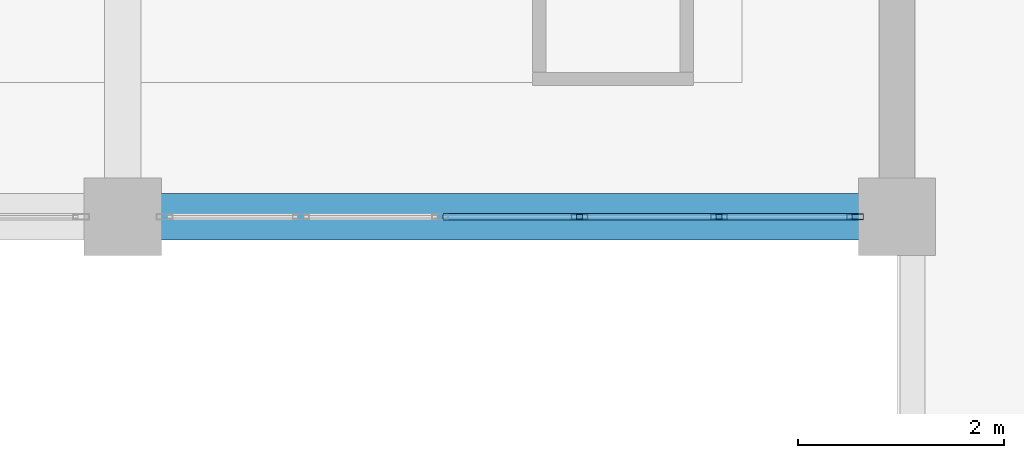
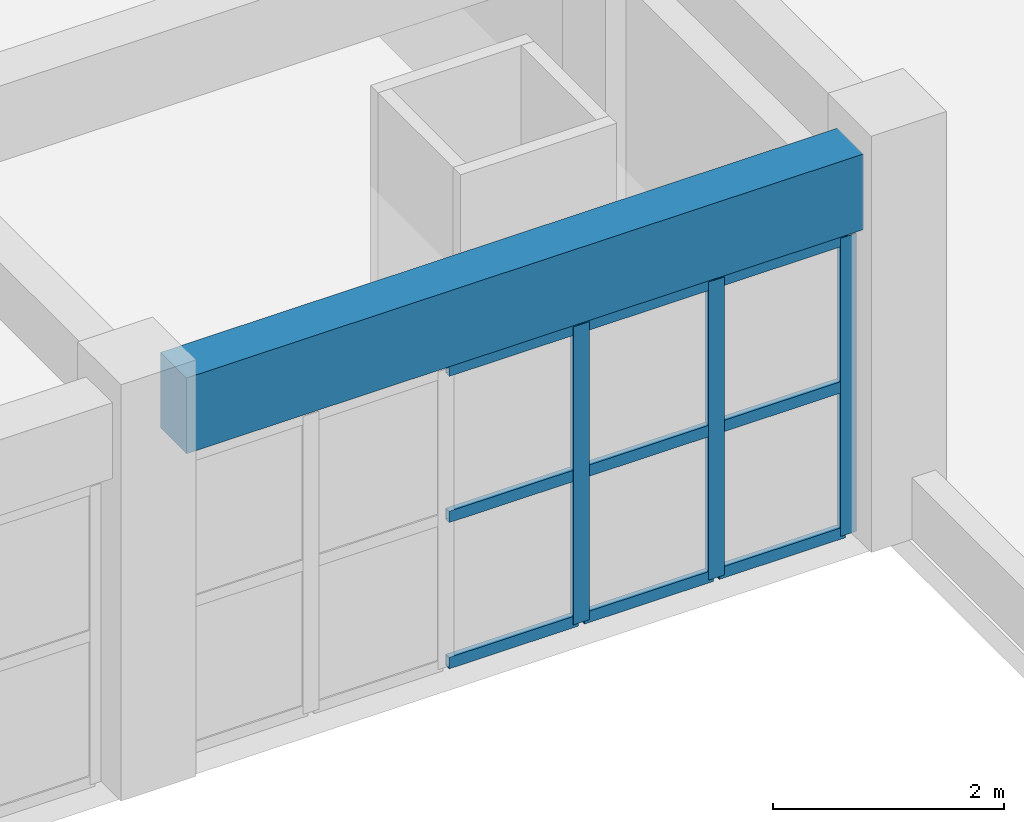
# One storey, part 44 of 90: 12 members, 1 beam, 1 element without a shape of its own.
"""IFC4 building model written with IfcOpenShell, lengths in metres."""

from ifc_helpers import new_model, si_unit, direction, frame, origin, origin_2d, place, context, subcontext, project, spatial, rectangle, hollow_rectangle, extrude, material, layer, layer_set, material_profile, profile_set, type_object, element, aggregate, save


model = new_model("IFC4")

# Units and contexts
model_context = context("Model", 3, precision=1e-05, world=origin(), true_north=direction((0.0, 1.0)))
body_context = subcontext(model_context, "Body", "Model", "MODEL_VIEW")
ifc_project = project(units=[si_unit("LENGTHUNIT", "METRE"), si_unit("AREAUNIT", "SQUARE_METRE"), si_unit("VOLUMEUNIT", "CUBIC_METRE"), si_unit("PLANEANGLEUNIT", "RADIAN"), si_unit("MASSUNIT", "GRAM", prefix="KILO")], contexts=[model_context])

# Site, building, storey
site_placement = place(None, origin())
site = spatial("IfcSite", under=ifc_project, at=site_placement, CompositionType="ELEMENT")
building_placement = place(site_placement, origin())
building = spatial("IfcBuilding", under=site, at=building_placement, Name="Muzn Square Opera House", CompositionType="ELEMENT")
storey_placement = place(building_placement, frame((0.0, 0.0, 9.800048828125)))
storey = spatial("IfcBuildingStorey", under=building, at=storey_placement, Name="L02", CompositionType="ELEMENT", Elevation=9.800048828125)

# Curtain wall, members
ifc_material_1 = material(Name="Low-E laminated acoustic double glazing", Category="glass")
ifc_layer = layer(ifc_material_1, 0.159912109375, Name="Low-E laminated acoustic double glazing", Category="glass")
ifc_layer_set = layer_set([ifc_layer], Name="Low-E laminated acoustic double glazing")
curtain_wall_type = type_object("IfcCurtainWallType", Name="Glazed Curtain Wall EastCloisterN 6750x3150", PredefinedType="USERDEFINED", material=ifc_layer_set)
curtain_wall_placement = place(storey_placement, origin())
curtain_wall = element("IfcCurtainWall", 1, at=curtain_wall_placement, inside=storey, type_object=curtain_wall_type, Name="Glazed Curtain Wall CW-L02-104", ObjectType="GLAZED CURTAIN WALL", PredefinedType="USERDEFINED")
ifc_material_2 = material(Name="Anodised bronze aluminium 6063-T6", Category="metal")
ifc_material_profile_1 = material_profile(ifc_material_2, hollow_rectangle(XDim=0.06005859375, YDim=0.159912109375, WallThickness=0.00390625, at=origin_2d()), Name="ALU 160x60x4", Category="metal")
ifc_profile_set_1 = profile_set([ifc_material_profile_1], Name="Anodised bronze aluminium 6063-T6")
member_type_1 = type_object("IfcMemberType", Name="Curtain Wall Mullion 160x60", PredefinedType="MULLION", material=ifc_profile_set_1)
member_1_placement = place(storey_placement, frame((153.925048828125, 54.199951171875, 0.0), z_axis=(0.0, 0.0, 1.0), x_axis=(0.0, 1.0, 0.0)))
member_1 = element("IfcMember", 2, at=member_1_placement, type_object=member_type_1, Name="CW-ECN-67x31 mullion 4", PredefinedType="MULLION", context=body_context, shape_type="SweptSolid", body=[
    extrude(hollow_rectangle(XDim=0.06005859375, YDim=0.159912109375, WallThickness=0.00390625, at=origin_2d()), origin(), (0.0, 0.0, 1.0), 3.14990234375),
])
member_2_placement = place(storey_placement, frame((155.27490234375, 54.199951171875, 0.0), z_axis=(0.0, 0.0, 1.0), x_axis=(0.0, 1.0, 0.0)))
member_2 = element("IfcMember", 3, at=member_2_placement, type_object=member_type_1, Name="CW-ECN-67x31 mullion 5", PredefinedType="MULLION", context=body_context, shape_type="SweptSolid", body=[
    extrude(hollow_rectangle(XDim=0.06005859375, YDim=0.159912109375, WallThickness=0.00390625, at=origin_2d()), origin(), (0.0, 0.0, 1.0), 3.14990234375),
])
member_3_placement = place(storey_placement, frame((156.594970703125, 54.199951171875, 0.0), z_axis=(0.0, 0.0, 1.0), x_axis=(0.0, 1.0, 0.0)))
member_3 = element("IfcMember", 4, at=member_3_placement, type_object=member_type_1, Name="CW-ECN-67x31 mullion 6", PredefinedType="MULLION", context=body_context, shape_type="SweptSolid", body=[
    extrude(hollow_rectangle(XDim=0.06005859375, YDim=0.159912109375, WallThickness=0.00390625, at=origin_2d()), origin(), (0.0, 0.0, 1.0), 3.14990234375),
])
ifc_material_profile_2 = material_profile(ifc_material_2, hollow_rectangle(XDim=0.06005859375, YDim=0.1201171875, WallThickness=0.00390625, at=origin_2d()), Name="ALU 120x60x4", Category="metal")
ifc_profile_set_2 = profile_set([ifc_material_profile_2], Name="Anodised bronze aluminium 6063-T6")
member_type_2 = type_object("IfcMemberType", Name="Curtain Wall Transom 120x60", PredefinedType="USERDEFINED", material=ifc_profile_set_2)
member_4_placement = place(storey_placement, frame((152.60498046875, 54.199951171875, 0.030029296875), z_axis=(1.0, 0.0, 0.0), x_axis=(0.0, 1.0, 0.0)))
member_4 = element("IfcMember", 5, at=member_4_placement, type_object=member_type_2, Name="CW-ECN-67x31 transom 3.1", ObjectType="TRANSOM", PredefinedType="USERDEFINED", context=body_context, shape_type="SweptSolid", body=[
    extrude(hollow_rectangle(XDim=0.06005859375, YDim=0.1201171875, WallThickness=0.00390625, at=origin_2d()), origin(), (0.0, 0.0, 1.0), 1.2900390625),
])
member_5_placement = place(storey_placement, frame((152.60498046875, 54.199951171875, 1.574951171875), z_axis=(1.0, 0.0, 0.0), x_axis=(0.0, 1.0, 0.0)))
member_5 = element("IfcMember", 6, at=member_5_placement, type_object=member_type_2, Name="CW-ECN-67x31 transom 3.2", ObjectType="TRANSOM", PredefinedType="USERDEFINED", context=body_context, shape_type="SweptSolid", body=[
    extrude(hollow_rectangle(XDim=0.06005859375, YDim=0.1201171875, WallThickness=0.00390625, at=origin_2d()), origin(), (0.0, 0.0, 1.0), 1.2900390625),
])
member_6_placement = place(storey_placement, frame((152.60498046875, 54.199951171875, 3.119873046875), z_axis=(1.0, 0.0, 0.0), x_axis=(0.0, 1.0, 0.0)))
member_6 = element("IfcMember", 7, at=member_6_placement, type_object=member_type_2, Name="CW-ECN-67x31 transom 3.3", ObjectType="TRANSOM", PredefinedType="USERDEFINED", context=body_context, shape_type="SweptSolid", body=[
    extrude(hollow_rectangle(XDim=0.06005859375, YDim=0.1201171875, WallThickness=0.00390625, at=origin_2d()), origin(), (0.0, 0.0, 1.0), 1.2900390625),
])
member_7_placement = place(storey_placement, frame((153.955078125, 54.199951171875, 0.030029296875), z_axis=(1.0, 0.0, 0.0), x_axis=(0.0, 1.0, 0.0)))
member_7 = element("IfcMember", 8, at=member_7_placement, type_object=member_type_2, Name="CW-ECN-67x31 transom 4.1", ObjectType="TRANSOM", PredefinedType="USERDEFINED", context=body_context, shape_type="SweptSolid", body=[
    extrude(hollow_rectangle(XDim=0.06005859375, YDim=0.1201171875, WallThickness=0.00390625, at=origin_2d()), origin(), (0.0, 0.0, 1.0), 1.2900390625),
])
member_8_placement = place(storey_placement, frame((153.955078125, 54.199951171875, 1.574951171875), z_axis=(1.0, 0.0, 0.0), x_axis=(0.0, 1.0, 0.0)))
member_8 = element("IfcMember", 9, at=member_8_placement, type_object=member_type_2, Name="CW-ECN-67x31 transom 4.2", ObjectType="TRANSOM", PredefinedType="USERDEFINED", context=body_context, shape_type="SweptSolid", body=[
    extrude(hollow_rectangle(XDim=0.06005859375, YDim=0.1201171875, WallThickness=0.00390625, at=origin_2d()), origin(), (0.0, 0.0, 1.0), 1.2900390625),
])
member_9_placement = place(storey_placement, frame((153.955078125, 54.199951171875, 3.119873046875), z_axis=(1.0, 0.0, 0.0), x_axis=(0.0, 1.0, 0.0)))
member_9 = element("IfcMember", 10, at=member_9_placement, type_object=member_type_2, Name="CW-ECN-67x31 transom 4.3", ObjectType="TRANSOM", PredefinedType="USERDEFINED", context=body_context, shape_type="SweptSolid", body=[
    extrude(hollow_rectangle(XDim=0.06005859375, YDim=0.1201171875, WallThickness=0.00390625, at=origin_2d()), origin(), (0.0, 0.0, 1.0), 1.2900390625),
])
member_10_placement = place(storey_placement, frame((155.304931640625, 54.199951171875, 0.030029296875), z_axis=(1.0, 0.0, 0.0), x_axis=(0.0, 1.0, 0.0)))
member_10 = element("IfcMember", 11, at=member_10_placement, type_object=member_type_2, Name="CW-ECN-67x31 transom 5.1", ObjectType="TRANSOM", PredefinedType="USERDEFINED", context=body_context, shape_type="SweptSolid", body=[
    extrude(hollow_rectangle(XDim=0.06005859375, YDim=0.1201171875, WallThickness=0.00390625, at=origin_2d()), origin(), (0.0, 0.0, 1.0), 1.260009765625),
])
member_11_placement = place(storey_placement, frame((155.304931640625, 54.199951171875, 1.574951171875), z_axis=(1.0, 0.0, 0.0), x_axis=(0.0, 1.0, 0.0)))
member_11 = element("IfcMember", 12, at=member_11_placement, type_object=member_type_2, Name="CW-ECN-67x31 transom 5.2", ObjectType="TRANSOM", PredefinedType="USERDEFINED", context=body_context, shape_type="SweptSolid", body=[
    extrude(hollow_rectangle(XDim=0.06005859375, YDim=0.1201171875, WallThickness=0.00390625, at=origin_2d()), origin(), (0.0, 0.0, 1.0), 1.260009765625),
])
member_12_placement = place(storey_placement, frame((155.304931640625, 54.199951171875, 3.119873046875), z_axis=(1.0, 0.0, 0.0), x_axis=(0.0, 1.0, 0.0)))
member_12 = element("IfcMember", 13, at=member_12_placement, type_object=member_type_2, Name="CW-ECN-67x31 transom 5.3", ObjectType="TRANSOM", PredefinedType="USERDEFINED", context=body_context, shape_type="SweptSolid", body=[
    extrude(hollow_rectangle(XDim=0.06005859375, YDim=0.1201171875, WallThickness=0.00390625, at=origin_2d()), origin(), (0.0, 0.0, 1.0), 1.260009765625),
])
aggregate(curtain_wall, [member_1, member_2, member_3, member_4, member_5, member_6, member_7, member_8, member_9, member_10, member_11, member_12])

# Beam
ifc_material_3 = material(Name="Concrete C40/50", Category="concrete")
ifc_material_profile_3 = material_profile(ifc_material_3, rectangle(XDim=0.449951171875, YDim=0.800048828125, at=origin_2d()), Name="RCB 450x800", Category="concrete")
ifc_profile_set_3 = profile_set([ifc_material_profile_3], Name="Concrete C40/50")
beam_type = type_object("IfcBeamType", Name="Primary Girder 450x800", PredefinedType="BEAM", material=ifc_profile_set_3)
beam_placement = place(storey_placement, frame((149.866943359375, 54.199951171875, 3.719970703125), z_axis=(1.0, 0.0, 0.0), x_axis=(0.0, 1.0, 0.0)))
element("IfcBeam", 14, at=beam_placement, inside=storey, type_object=beam_type, Name="Primary Girder BM-L02-BM-PG800-1499_542_1566_542-2014", PredefinedType="BEAM", context=body_context, shape_type="SweptSolid", body=[
    extrude(rectangle(XDim=0.449951171875, YDim=0.800048828125, at=origin_2d()), origin(), (0.0, 0.0, 1.0), 6.76611328125),
])

save(model, "model.ifc")
